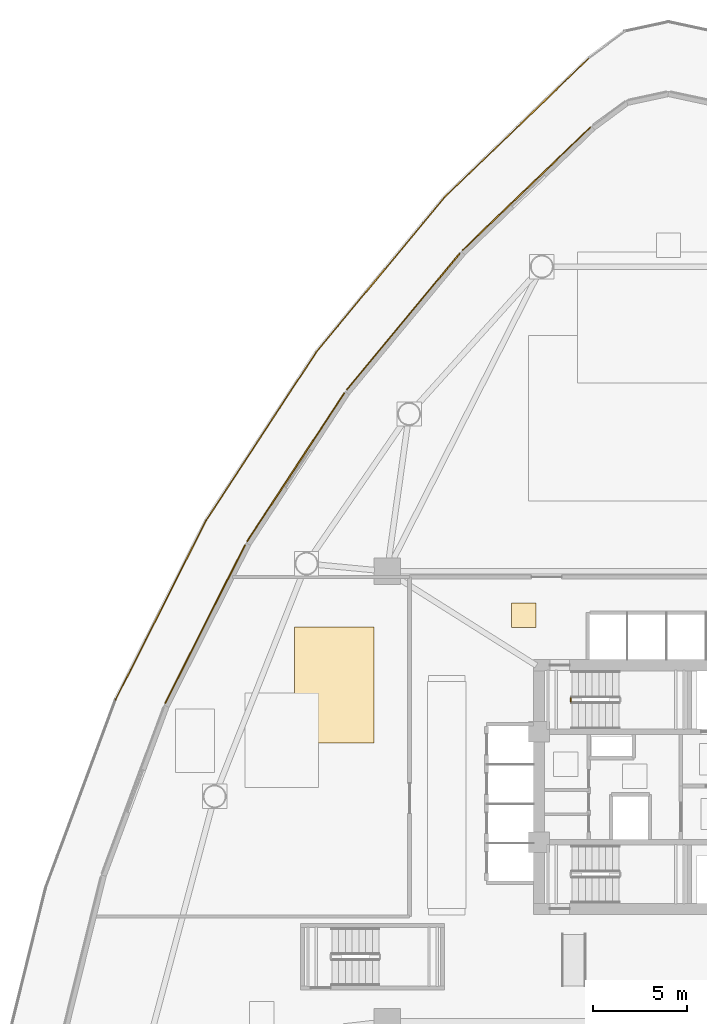
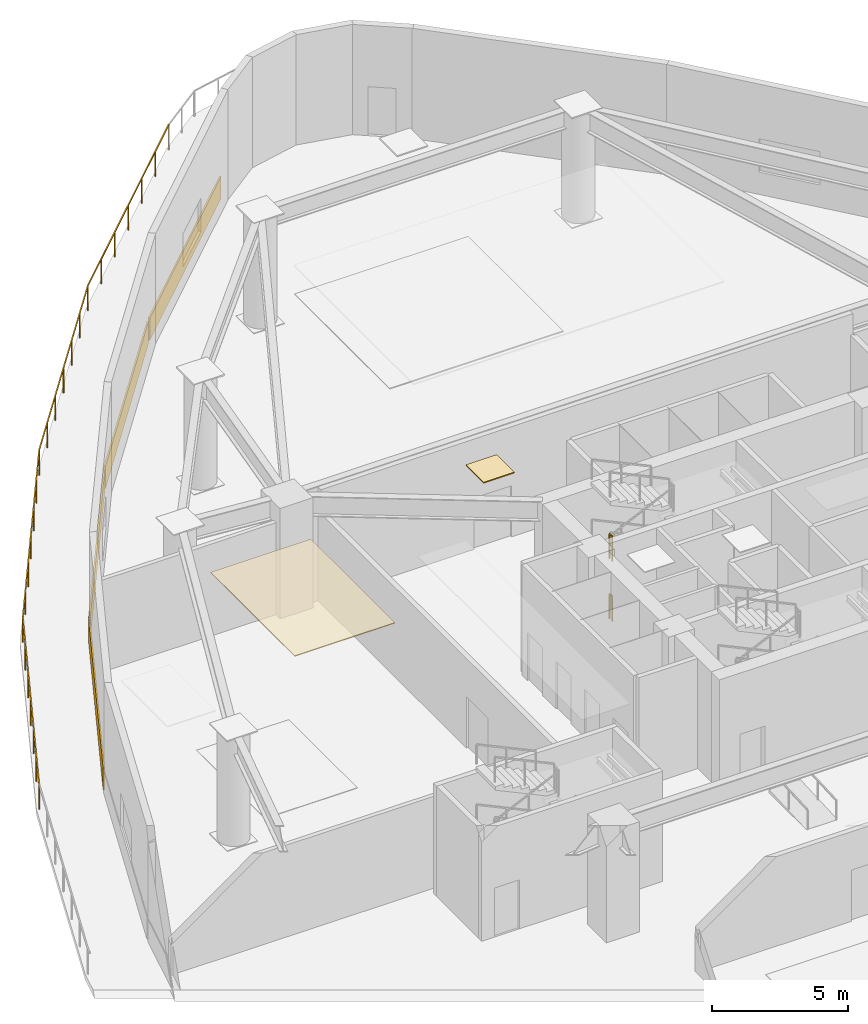
# One storey, part 11 of 13: 6 coverings, 6 railings.
"""IFC4 building model written with IfcOpenShell, lengths in metres."""

from ifc_helpers import new_model, si_unit, direction, frame, origin, origin_2d, place, context, subcontext, project, spatial, polyline, rectangle, outline, extrude, material, layer, layer_set, type_object, element, save


model = new_model("IFC4")

# Units and contexts
model_context = context("Model", 3, precision=1e-05, world=origin(), true_north=direction((0.0, 1.0)))
body_context = subcontext(model_context, "Body", "Model", "MODEL_VIEW")
ifc_project = project(units=[si_unit("LENGTHUNIT", "METRE"), si_unit("AREAUNIT", "SQUARE_METRE"), si_unit("VOLUMEUNIT", "CUBIC_METRE"), si_unit("PLANEANGLEUNIT", "RADIAN"), si_unit("MASSUNIT", "GRAM", prefix="KILO")], contexts=[model_context])

# Site, building, storey
site_placement = place(None, origin())
site = spatial("IfcSite", under=ifc_project, at=site_placement, CompositionType="ELEMENT")
building_placement = place(site_placement, origin())
building = spatial("IfcBuilding", under=site, at=building_placement, Name="Tavelor Broadcast Tower", CompositionType="ELEMENT")
storey_placement = place(building_placement, frame((0.0, 0.0, 16.800048828125)))
storey = spatial("IfcBuildingStorey", under=building, at=storey_placement, Name="L03", CompositionType="ELEMENT", Elevation=16.800048828125)

# Covering
ifc_material_1 = material(Name="Copper-Bronze Anodized Aluminium", Category="aluminium")
ifc_layer_1 = layer(ifc_material_1, 0.044921875)
ifc_layer_set_1 = layer_set([ifc_layer_1], Name="Copper-Bronze Anodized Aluminium")
covering_type_1 = type_object("IfcCoveringType", Name="Anodised Bronze Linear Slatted Concourse Ceiling 45 mm", PredefinedType="CEILING", material=ifc_layer_set_1)
covering_1_placement = place(storey_placement, frame((0.0, 0.0, 4.905029296875)))
element("IfcCovering", 1, at=covering_1_placement, inside=storey, type_object=covering_type_1, Name="L03 Suspended Acoustic Ceiling 0083", PredefinedType="CEILING", context=body_context, shape_type="SweptSolid", body=[
    extrude(outline(polyline([(41.627197265625, 53.513671875), (42.92724609375, 53.513671875), (42.92724609375, 54.813720703125), (41.627197265625, 54.813720703125), (41.627197265625, 53.513671875)])), origin(), (0.0, 0.0, 1.0), 0.044921875),
])

# Railings
ifc_material_2 = material(Name="Steel S355", Category="steel")
railing_type_1 = type_object("IfcRailingType", Name="Planted Terrace Laminated Glass Balustrade 1150 mm", PredefinedType="BALUSTRADE", material=ifc_material_2)
railing_1_placement = place(storey_placement, frame((45.793701171875, 83.8974609375, 0.0)))
element("IfcRailing", 2, at=railing_1_placement, inside=storey, type_object=railing_type_1, Name="L03 Cascading Garden Terrace 1 Balustrade #68", PredefinedType="BALUSTRADE", context=body_context, shape_type="SweptSolid", body=[
    extrude(rectangle(XDim=0.048095703125, YDim=0.048095703125, at=origin_2d()), frame((0.0, 0.0, 1.1259765625), z_axis=(-0.720310532032, -0.693651740749, 0.0), x_axis=(0.693651740749, -0.720310532032, 0.0)), (0.0, 0.0, 1.0), 10.733154296875),
    extrude(rectangle(XDim=0.0419921875, YDim=0.0419921875, at=origin_2d()), origin(), (0.0, 0.0, 1.0), 1.101806640625),
    extrude(rectangle(XDim=0.0419921875, YDim=0.0419921875, at=origin_2d()), frame((-1.28857421875, -1.24072265625, 0.0)), (0.0, 0.0, 1.0), 1.101806640625),
    extrude(rectangle(XDim=0.0419921875, YDim=0.0419921875, at=origin_2d()), frame((-2.5771484375, -2.481689453125, 0.0)), (0.0, 0.0, 1.0), 1.101806640625),
    extrude(rectangle(XDim=0.0419921875, YDim=0.0419921875, at=origin_2d()), frame((-3.86572265625, -3.72265625, 0.0)), (0.0, 0.0, 1.0), 1.101806640625),
    extrude(rectangle(XDim=0.0419921875, YDim=0.0419921875, at=origin_2d()), frame((-5.154052734375, -4.96337890625, 0.0)), (0.0, 0.0, 1.0), 1.101806640625),
    extrude(rectangle(XDim=0.0419921875, YDim=0.0419921875, at=origin_2d()), frame((-6.442626953125, -6.2041015625, 0.0)), (0.0, 0.0, 1.0), 1.101806640625),
    extrude(rectangle(XDim=0.0419921875, YDim=0.0419921875, at=origin_2d()), frame((-7.731201171875, -7.445068359375, 0.0)), (0.0, 0.0, 1.0), 1.101806640625),
])
railing_2_placement = place(storey_placement, frame((38.0703125, 76.460693359375, 0.0)))
element("IfcRailing", 3, at=railing_2_placement, inside=storey, type_object=railing_type_1, Name="L03 Cascading Garden Terrace 1 Balustrade #69", PredefinedType="BALUSTRADE", context=body_context, shape_type="SweptSolid", body=[
    extrude(rectangle(XDim=0.048095703125, YDim=0.048095703125, at=origin_2d()), frame((0.0, 0.0, 1.1259765625), z_axis=(-0.638072196055, -0.769976540306, 0.0), x_axis=(0.769976540306, -0.638072196055, 0.0)), (0.0, 0.0, 1.0), 10.7333984375),
    extrude(rectangle(XDim=0.0419921875, YDim=0.0419921875, at=origin_2d()), origin(), (0.0, 0.0, 1.0), 1.101806640625),
    extrude(rectangle(XDim=0.0419921875, YDim=0.0419921875, at=origin_2d()), frame((-1.141357421875, -1.37744140625, 0.0)), (0.0, 0.0, 1.0), 1.101806640625),
    extrude(rectangle(XDim=0.0419921875, YDim=0.0419921875, at=origin_2d()), frame((-2.282958984375, -2.7548828125, 0.0)), (0.0, 0.0, 1.0), 1.101806640625),
    extrude(rectangle(XDim=0.0419921875, YDim=0.0419921875, at=origin_2d()), frame((-3.42431640625, -4.13232421875, 0.0)), (0.0, 0.0, 1.0), 1.101806640625),
    extrude(rectangle(XDim=0.0419921875, YDim=0.0419921875, at=origin_2d()), frame((-4.565673828125, -5.509521484375, 0.0)), (0.0, 0.0, 1.0), 1.101806640625),
    extrude(rectangle(XDim=0.0419921875, YDim=0.0419921875, at=origin_2d()), frame((-5.707275390625, -6.886962890625, 0.0)), (0.0, 0.0, 1.0), 1.101806640625),
    extrude(rectangle(XDim=0.0419921875, YDim=0.0419921875, at=origin_2d()), frame((-6.8486328125, -8.264404296875, 0.0)), (0.0, 0.0, 1.0), 1.101806640625),
])
railing_3_placement = place(storey_placement, frame((31.228515625, 68.205322265625, 0.0)))
element("IfcRailing", 4, at=railing_3_placement, inside=storey, type_object=railing_type_1, Name="L03 Cascading Garden Terrace 1 Balustrade #70", PredefinedType="BALUSTRADE", context=body_context, shape_type="SweptSolid", body=[
    extrude(rectangle(XDim=0.048095703125, YDim=0.048095703125, at=origin_2d()), frame((0.0, 0.0, 1.1259765625), z_axis=(-0.547799587728, -0.83660959335, 0.0), x_axis=(0.83660959335, -0.547799587728, 0.0)), (0.0, 0.0, 1.0), 10.733154296875),
    extrude(rectangle(XDim=0.0419921875, YDim=0.0419921875, at=origin_2d()), origin(), (0.0, 0.0, 1.0), 1.101806640625),
    extrude(rectangle(XDim=0.0419921875, YDim=0.0419921875, at=origin_2d()), frame((-0.97998046875, -1.49658203125, 0.0)), (0.0, 0.0, 1.0), 1.101806640625),
    extrude(rectangle(XDim=0.0419921875, YDim=0.0419921875, at=origin_2d()), frame((-1.9599609375, -2.9931640625, 0.0)), (0.0, 0.0, 1.0), 1.101806640625),
    extrude(rectangle(XDim=0.0419921875, YDim=0.0419921875, at=origin_2d()), frame((-2.93994140625, -4.48974609375, 0.0)), (0.0, 0.0, 1.0), 1.101806640625),
    extrude(rectangle(XDim=0.0419921875, YDim=0.0419921875, at=origin_2d()), frame((-3.919677734375, -5.986328125, 0.0)), (0.0, 0.0, 1.0), 1.101806640625),
    extrude(rectangle(XDim=0.0419921875, YDim=0.0419921875, at=origin_2d()), frame((-4.899658203125, -7.48291015625, 0.0)), (0.0, 0.0, 1.0), 1.101806640625),
    extrude(rectangle(XDim=0.0419921875, YDim=0.0419921875, at=origin_2d()), frame((-5.879638671875, -8.9794921875, 0.0)), (0.0, 0.0, 1.0), 1.101806640625),
])
railing_4_placement = place(storey_placement, frame((25.3544921875, 59.235595703125, 0.0)))
element("IfcRailing", 5, at=railing_4_placement, inside=storey, type_object=railing_type_1, Name="L03 Cascading Garden Terrace 1 Balustrade #71", PredefinedType="BALUSTRADE", context=body_context, shape_type="SweptSolid", body=[
    extrude(rectangle(XDim=0.048095703125, YDim=0.048095703125, at=origin_2d()), frame((0.0, 0.0, 1.1259765625), z_axis=(-0.450631401505, -0.89271010971, 0.0), x_axis=(0.89271010971, -0.450631401505, 0.0)), (0.0, 0.0, 1.0), 10.733154296875),
    extrude(rectangle(XDim=0.0419921875, YDim=0.0419921875, at=origin_2d()), origin(), (0.0, 0.0, 1.0), 1.101806640625),
    extrude(rectangle(XDim=0.0419921875, YDim=0.0419921875, at=origin_2d()), frame((-0.80615234375, -1.596923828125, 0.0)), (0.0, 0.0, 1.0), 1.101806640625),
    extrude(rectangle(XDim=0.0419921875, YDim=0.0419921875, at=origin_2d()), frame((-1.6123046875, -3.19384765625, 0.0)), (0.0, 0.0, 1.0), 1.101806640625),
    extrude(rectangle(XDim=0.0419921875, YDim=0.0419921875, at=origin_2d()), frame((-2.41845703125, -4.790771484375, 0.0)), (0.0, 0.0, 1.0), 1.101806640625),
    extrude(rectangle(XDim=0.0419921875, YDim=0.0419921875, at=origin_2d()), frame((-3.224365234375, -6.3876953125, 0.0)), (0.0, 0.0, 1.0), 1.101806640625),
    extrude(rectangle(XDim=0.0419921875, YDim=0.0419921875, at=origin_2d()), frame((-4.030517578125, -7.984619140625, 0.0)), (0.0, 0.0, 1.0), 1.101806640625),
    extrude(rectangle(XDim=0.0419921875, YDim=0.0419921875, at=origin_2d()), frame((-4.836669921875, -9.58154296875, 0.0)), (0.0, 0.0, 1.0), 1.101806640625),
])

# Coverings
ifc_material_3 = material(Name="Kiln-Fired Glazed Terracotta", Category="masonry")
ifc_layer_2 = layer(ifc_material_3, 0.06494140625)
ifc_layer_set_2 = layer_set([ifc_layer_2], Name="Kiln-Fired Glazed Terracotta")
covering_type_2 = type_object("IfcCoveringType", Name="Ribbed Terracotta Rainscreen Spandrel Cladding 65 mm", PredefinedType="CLADDING", material=ifc_layer_set_2)
for number, where, z_axis, x_axis, name in (
    (6, (42.42822265625, 76.8994140625, 0.050048828125), (0.0, 0.0, 1.0), (-0.720309024888, -0.693653305813, 0.0), "L03 Terracotta Spandrel Rainscreen 05"),
    (7, (35.85888671875, 69.821044921875, 0.050048828125), (0.0, 0.0, 1.0), (-0.638096146601, -0.769956692089, 0.0), "L03 Terracotta Spandrel Rainscreen 06"),
    (8, (30.123779296875, 62.051025390625, 0.050048828125), (0.0, 0.0, 1.0), (-0.547855275974, -0.836573126862, 0.0), "L03 Terracotta Spandrel Rainscreen 07"),
    (9, (25.295166015625, 53.687744140625, 0.050048828125), (0.0, 0.0, 1.0), (-0.450565941999, -0.892743150022, 0.0), "L03 Terracotta Spandrel Rainscreen 08"),
):
    element("IfcCovering", number, at=place(storey_placement, frame(where, z_axis=z_axis, x_axis=x_axis)), inside=storey, type_object=covering_type_2, Name=name, PredefinedType="CLADDING", context=body_context, shape_type="SweptSolid", body=[
        extrude(rectangle(XDim=9.472412109375, YDim=0.06494140625, at=origin_2d()), origin(), (0.0, 0.0, 1.0), 1.0),
    ])

# Railings
railing_type_2 = type_object("IfcRailingType", Name="Stairwell Steel Safety Guardrail 1150 mm", PredefinedType="GUARDRAIL", material=ifc_material_2)
for number, where, name in (
    (10, (44.800048828125, 49.550048828125, 2.699951171875), "L03 ST1 stair guard 4"),
    (11, (44.800048828125, 49.550048828125, 0.0), "L03 ST1 stair guard 8"),
):
    element("IfcRailing", number, at=place(storey_placement, frame(where)), inside=storey, type_object=railing_type_2, Name=name, PredefinedType="GUARDRAIL", context=body_context, shape_type="SweptSolid", body=[
        extrude(rectangle(XDim=0.048095703125, YDim=0.048095703125, at=origin_2d()), frame((0.0, 0.0, 1.1259765625), z_axis=(0.0, 1.0, 0.0), x_axis=(-1.0, 0.0, 0.0)), (0.0, 0.0, 1.0), 0.199951171875),
        extrude(rectangle(XDim=0.0419921875, YDim=0.0419921875, at=origin_2d()), origin(), (0.0, 0.0, 1.0), 1.101806640625),
        extrude(rectangle(XDim=0.0419921875, YDim=0.0419921875, at=origin_2d()), frame((0.0, 0.199951171875, 0.0)), (0.0, 0.0, 1.0), 1.101806640625),
    ])

# Covering
ifc_material_4 = material(Name="Acoustic Mineral Fibre Tile")
ifc_layer_3 = layer(ifc_material_4, 0.0400390625)
ifc_layer_set_3 = layer_set([ifc_layer_3], Name="Acoustic Mineral Fibre Tile")
covering_type_3 = type_object("IfcCoveringType", Name="Suspended Acoustic Mineral-Fibre Office Ceiling 40 mm", PredefinedType="CEILING", material=ifc_layer_set_3)
covering_2_placement = place(storey_placement, frame((0.0, 0.0, 4.909912109375)))
element("IfcCovering", 12, at=covering_2_placement, inside=storey, type_object=covering_type_3, Name="L03 Suspended Acoustic Ceiling 0097", PredefinedType="CEILING", context=body_context, shape_type="SweptSolid", body=[
    extrude(outline(polyline([(30.04736328125, 47.35498046875), (34.305419921875, 47.35498046875), (34.305419921875, 53.5458984375), (30.04736328125, 53.5458984375), (30.04736328125, 47.35498046875)])), origin(), (0.0, 0.0, 1.0), 0.0400390625),
])

save(model, "model.ifc")
